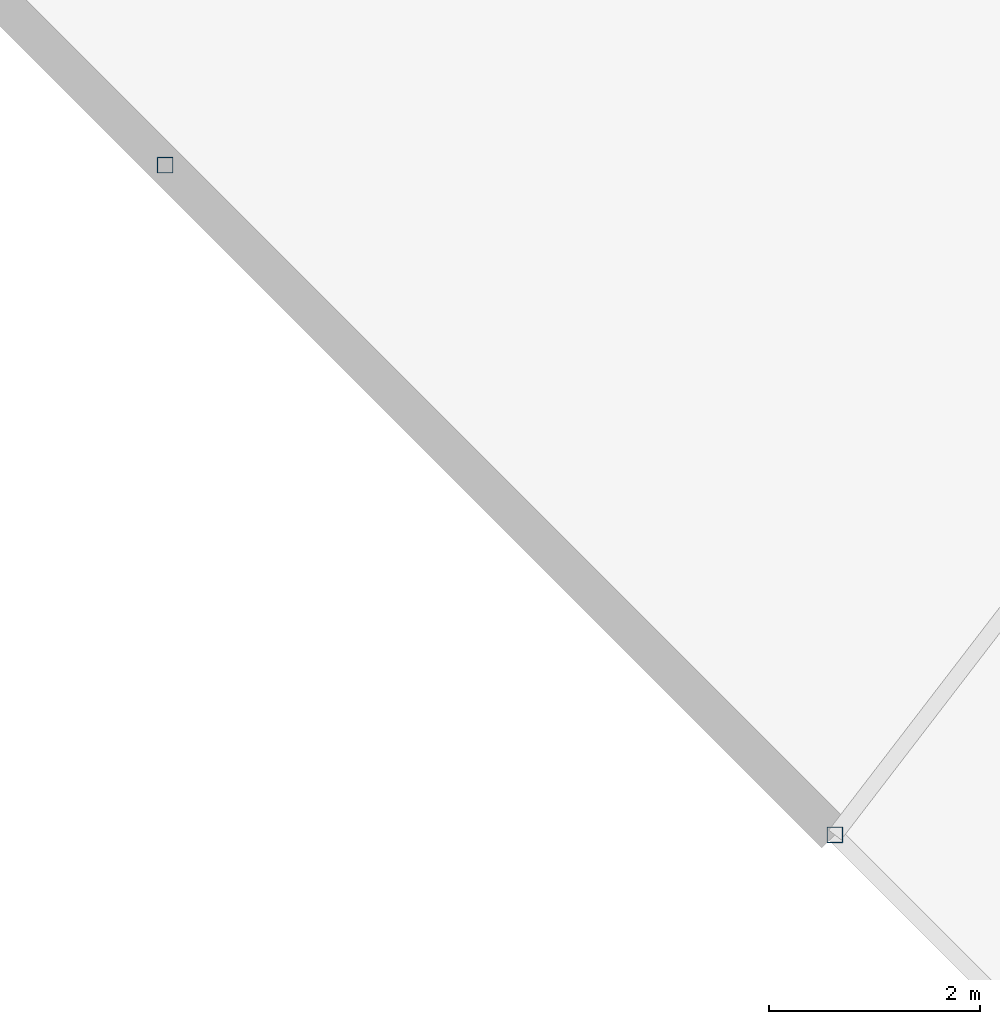
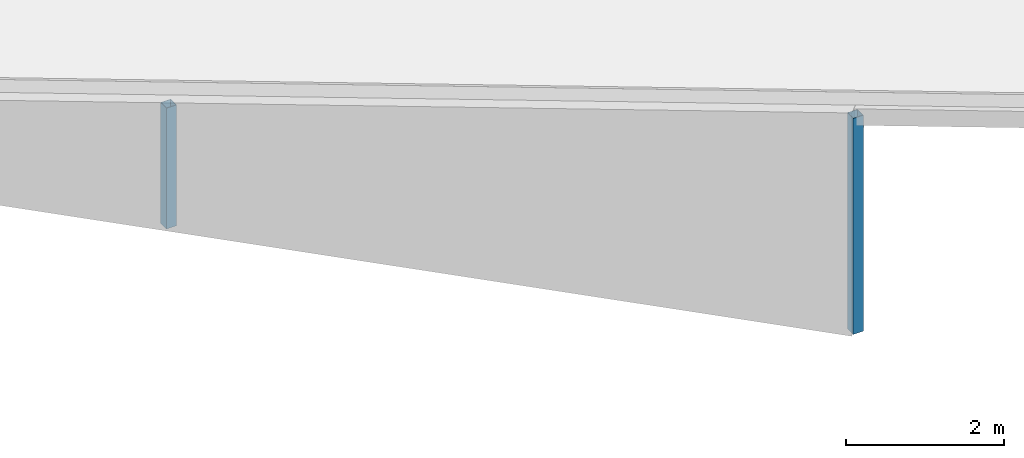
# One storey, part 106 of 200: 2 members.
"""IFC4 building model written with IfcOpenShell, lengths in metres."""

from ifc_helpers import new_model, si_unit, direction, frame, origin, origin_2d, place, context, subcontext, project, spatial, hollow_rectangle, extrude, material, material_profile, profile_set, type_object, element, save


model = new_model("IFC4")

# Units and contexts
model_context = context("Model", 3, precision=1e-05, world=origin(), true_north=direction((0.0, 1.0)))
body_context = subcontext(model_context, "Body", "Model", "MODEL_VIEW")
ifc_project = project(units=[si_unit("LENGTHUNIT", "METRE"), si_unit("AREAUNIT", "SQUARE_METRE"), si_unit("VOLUMEUNIT", "CUBIC_METRE"), si_unit("PLANEANGLEUNIT", "RADIAN"), si_unit("MASSUNIT", "GRAM", prefix="KILO")], contexts=[model_context])

# Site, building, storey
site_placement = place(None, origin())
site = spatial("IfcSite", under=ifc_project, at=site_placement, CompositionType="ELEMENT")
building_placement = place(site_placement, origin())
building = spatial("IfcBuilding", under=site, at=building_placement, Name="Vondelvale Polytechnic", CompositionType="ELEMENT")
storey_placement = place(building_placement, frame((0.0, 0.0, 13.800048828125)))
storey = spatial("IfcBuildingStorey", under=building, at=storey_placement, Name="L03", CompositionType="ELEMENT", Elevation=13.800048828125)

# Members
ifc_material = material(Name="Steel C350L0 (fy = 350 MPa)", Category="steel")
ifc_material_profile = material_profile(ifc_material, hollow_rectangle(XDim=0.14990234375, YDim=0.14990234375, WallThickness=0.006103515625, at=origin_2d()), Name="150x150x6.0SHS")
ifc_profile_set = profile_set([ifc_material_profile], Name="Steel C350L0 (fy = 350 MPa)")
member_type = type_object("IfcMemberType", Name="ROOF TRUSS POST 150SHS", PredefinedType="POST", material=ifc_profile_set)
member_1_placement = place(storey_placement, frame((134.52685546875, 39.47314453125, 0.0), z_axis=(0.0, 0.0, 1.0), x_axis=(1.0, 0.0, 0.0)))
element("IfcMember", 1, at=member_1_placement, inside=storey, type_object=member_type, Name="Ring outer roof post 21", PredefinedType="POST", context=body_context, shape_type="SweptSolid", body=[
    extrude(hollow_rectangle(XDim=0.14990234375, YDim=0.14990234375, WallThickness=0.006103515625, at=origin_2d()), origin(), (0.0, 0.0, 1.0), 3.33984375),
])
member_2_placement = place(storey_placement, frame((128.1630859375, 45.8369140625, 0.0), z_axis=(0.0, 0.0, 1.0), x_axis=(1.0, 0.0, 0.0)))
element("IfcMember", 2, at=member_2_placement, inside=storey, type_object=member_type, Name="Ring mid roof post 21", PredefinedType="POST", context=body_context, shape_type="SweptSolid", body=[
    extrude(hollow_rectangle(XDim=0.14990234375, YDim=0.14990234375, WallThickness=0.006103515625, at=origin_2d()), origin(), (0.0, 0.0, 1.0), 1.86572265625),
])

save(model, "model.ifc")
